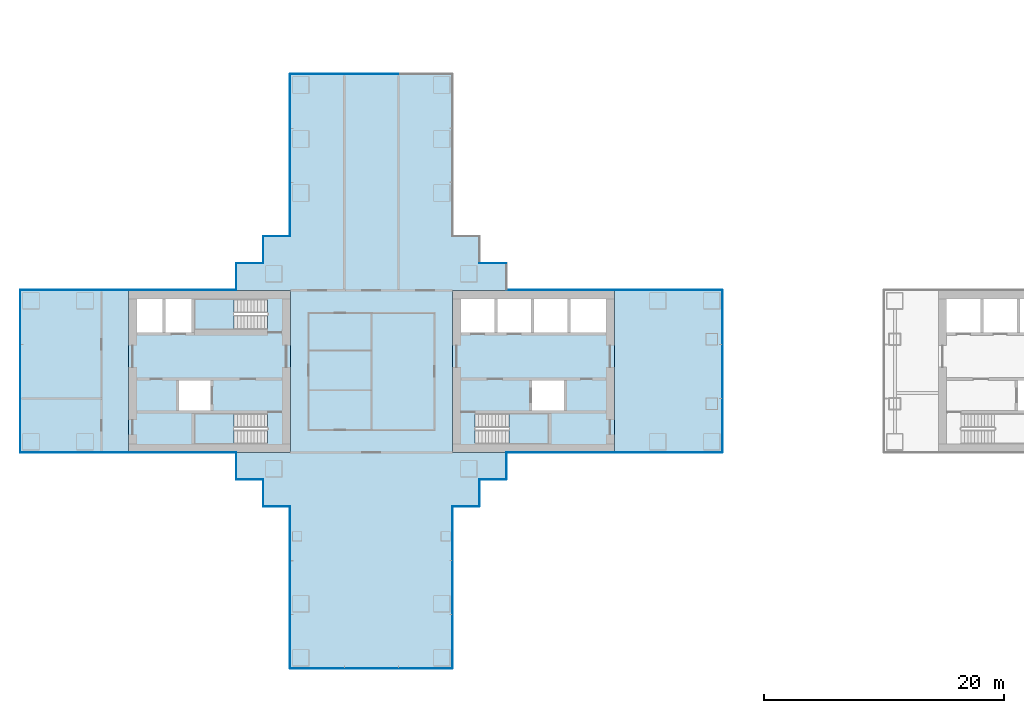
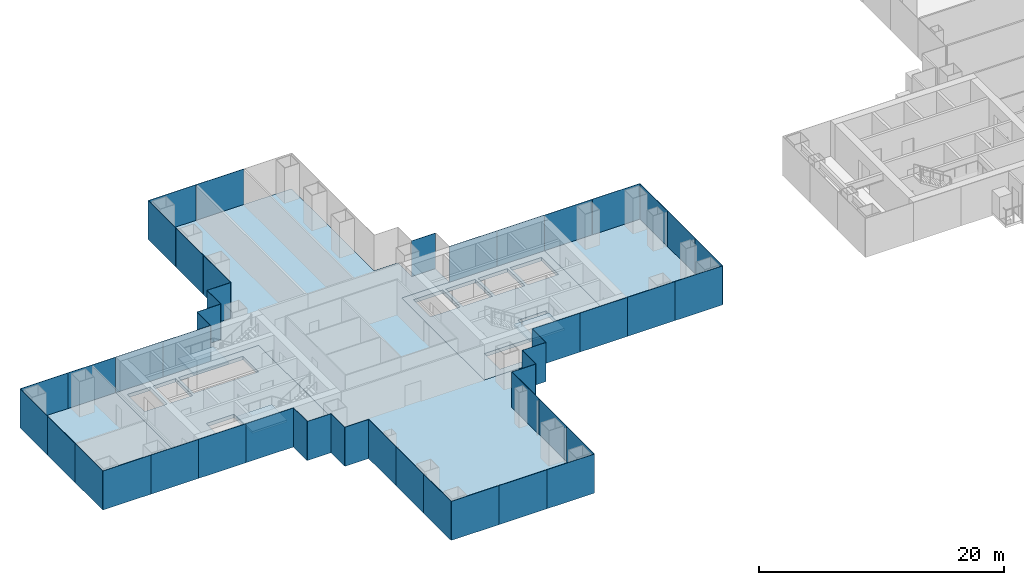
# One storey, part 10 of 21: 49 plates, 8 slabs, 22 elements without a shape of their own.
"""IFC4 building model written with IfcOpenShell, lengths in metres."""

from ifc_helpers import new_model, si_unit, direction, frame, origin, origin_2d, place, context, subcontext, project, spatial, polyline, rectangle, outline, extrude, material, layer, layer_set, type_object, element, aggregate, save


model = new_model("IFC4")

# Units and contexts
model_context = context("Model", 3, precision=1e-05, world=origin(), true_north=direction((0.0, 1.0)))
body_context = subcontext(model_context, "Body", "Model", "MODEL_VIEW")
ifc_project = project(units=[si_unit("LENGTHUNIT", "METRE"), si_unit("AREAUNIT", "SQUARE_METRE"), si_unit("VOLUMEUNIT", "CUBIC_METRE"), si_unit("PLANEANGLEUNIT", "RADIAN"), si_unit("MASSUNIT", "GRAM", prefix="KILO")], contexts=[model_context])

# Site, building, storey
site_placement = place(None, origin())
site = spatial("IfcSite", under=ifc_project, at=site_placement, CompositionType="ELEMENT")
building_placement = place(site_placement, origin())
building = spatial("IfcBuilding", under=site, at=building_placement, Name="Shamsa Quay Exchange Towers", CompositionType="ELEMENT")
storey_placement = place(building_placement, frame((0.0, 0.0, 53.699951171875)))
storey = spatial("IfcBuildingStorey", under=building, at=storey_placement, Name="L11", CompositionType="ELEMENT", Elevation=53.699951171875)

# Slabs
ifc_material_1 = material(Name="Concrete C50/60", Category="concrete")
ifc_layer_1 = layer(ifc_material_1, 0.35009765625)
ifc_layer_set_1 = layer_set([ifc_layer_1], Name="CORE FLOOR 350 C50/60")
slab_type_1 = type_object("IfcSlabType", Name="CORE FLOOR 350 C50/60", PredefinedType="FLOOR", material=ifc_layer_set_1)
slab_1_placement = place(storey_placement, frame((0.0, 0.0, -0.349853515625)))
element("IfcSlab", 1, at=slab_1_placement, inside=storey, type_object=slab_type_1, Name="Core floor T1A", PredefinedType="FLOOR", context=body_context, shape_type="SweptSolid", body=[
    extrude(outline(polyline([(-27.0, -6.75), (-13.5, -6.75), (-13.5, 6.75), (-27.0, 6.75), (-27.0, -6.75)]), holes=[polyline([(-25.099365234375, -6.050048828125), (-25.099365234375, -3.5), (-19.0, -3.5), (-19.0, -6.050048828125), (-25.099365234375, -6.050048828125)]), polyline([(-26.300048828125, 3.25), (-26.300048828125, 6.050048828125), (-23.5, 6.050048828125), (-23.5, 3.25), (-26.300048828125, 3.25)]), polyline([(-23.25, 3.25), (-23.25, 6.050048828125), (-20.449951171875, 6.050048828125), (-20.449951171875, 3.25), (-23.25, 3.25)]), polyline([(-20.199951171875, 3.25), (-20.199951171875, 6.050048828125), (-17.39990234375, 6.050048828125), (-17.39990234375, 3.25), (-20.199951171875, 3.25)]), polyline([(-17.14990234375, 3.25), (-17.14990234375, 6.050048828125), (-14.199951171875, 6.050048828125), (-14.199951171875, 3.25), (-17.14990234375, 3.25)]), polyline([(-20.35009765625, -3.25), (-20.35009765625, -0.75), (-17.699951171875, -0.75), (-17.699951171875, -3.25), (-20.35009765625, -3.25)])]), origin(), (0.0, 0.0, 1.0), 0.349853515625),
])
slab_2_placement = place(storey_placement, frame((0.0, 0.0, -0.349853515625)))
element("IfcSlab", 2, at=slab_2_placement, inside=storey, type_object=slab_type_1, Name="Core floor T1B", PredefinedType="FLOOR", context=body_context, shape_type="SweptSolid", body=[
    extrude(outline(polyline([(-40.5, -6.75), (-40.5, 6.75), (-54.0, 6.75), (-54.0, -6.75), (-40.5, -6.75)]), holes=[polyline([(-42.400634765625, -3.5), (-42.400634765625, -6.050048828125), (-48.5, -6.050048828125), (-48.5, -3.5), (-42.400634765625, -3.5)]), polyline([(-42.400634765625, 6.050048828125), (-42.400634765625, 3.5), (-48.5, 3.5), (-48.5, 6.050048828125), (-42.400634765625, 6.050048828125)]), polyline([(-48.75, 3.25), (-50.89990234375, 3.25), (-50.89990234375, 6.050048828125), (-48.75, 6.050048828125), (-48.75, 3.25)]), polyline([(-51.14990234375, 3.25), (-53.300048828125, 3.25), (-53.300048828125, 6.050048828125), (-51.14990234375, 6.050048828125), (-51.14990234375, 3.25)]), polyline([(-47.14990234375, -3.25), (-49.800048828125, -3.25), (-49.800048828125, -0.75), (-47.14990234375, -0.75), (-47.14990234375, -3.25)])]), origin(), (0.0, 0.0, 1.0), 0.349853515625),
])

# Stair, slab
ifc_material_2 = material(Name="Concrete C40/50", Category="concrete")
stair_type = type_object("IfcStairType", Name="EXIT STAIR 22 RISERS 177 MM", PredefinedType="HALF_TURN_STAIR", material=ifc_material_2)
stair_1_placement = place(storey_placement, origin())
stair_1 = element("IfcStair", 3, at=stair_1_placement, inside=storey, type_object=stair_type, Name="L11 Exit stair ST1", PredefinedType="HALF_TURN_STAIR")
ifc_layer_2 = layer(ifc_material_2, 0.199951171875)
ifc_layer_set_2 = layer_set([ifc_layer_2], Name="CORE STAIR LANDING")
slab_type_2 = type_object("IfcSlabType", Name="CORE STAIR LANDING", PredefinedType="LANDING", material=ifc_layer_set_2)
slab_3_placement = place(storey_placement, frame((0.0, 0.0, 1.75)))
slab_3 = element("IfcSlab", 4, at=slab_3_placement, type_object=slab_type_2, Name="ST1 landing 1", PredefinedType="LANDING", context=body_context, shape_type="SweptSolid", body=[
    extrude(outline(polyline([(-22.300048828125, -6.050048828125), (-19.0, -6.050048828125), (-19.0, -3.5), (-22.300048828125, -3.5), (-22.300048828125, -6.050048828125)])), origin(), (0.0, 0.0, 1.0), 0.199951171875),
])
aggregate(stair_1, [slab_3])

stair_2_placement = place(storey_placement, origin())
stair_2 = element("IfcStair", 5, at=stair_2_placement, inside=storey, type_object=stair_type, Name="L11 Exit stair ST2", PredefinedType="HALF_TURN_STAIR")
slab_4_placement = place(storey_placement, frame((0.0, 0.0, 1.75)))
slab_4 = element("IfcSlab", 6, at=slab_4_placement, type_object=slab_type_2, Name="ST2 landing 1", PredefinedType="LANDING", context=body_context, shape_type="SweptSolid", body=[
    extrude(outline(polyline([(-45.199951171875, -3.5), (-48.5, -3.5), (-48.5, -6.050048828125), (-45.199951171875, -6.050048828125), (-45.199951171875, -3.5)])), origin(), (0.0, 0.0, 1.0), 0.199951171875),
])
aggregate(stair_2, [slab_4])

stair_3_placement = place(storey_placement, origin())
stair_3 = element("IfcStair", 7, at=stair_3_placement, inside=storey, type_object=stair_type, Name="L11 Exit stair ST3", PredefinedType="HALF_TURN_STAIR")
slab_5_placement = place(storey_placement, frame((0.0, 0.0, 1.75)))
slab_5 = element("IfcSlab", 8, at=slab_5_placement, type_object=slab_type_2, Name="ST3 landing 1", PredefinedType="LANDING", context=body_context, shape_type="SweptSolid", body=[
    extrude(outline(polyline([(-45.199951171875, 6.050048828125), (-48.5, 6.050048828125), (-48.5, 3.5), (-45.199951171875, 3.5), (-45.199951171875, 6.050048828125)])), origin(), (0.0, 0.0, 1.0), 0.199951171875),
])
aggregate(stair_3, [slab_5])

# Curtain wall, plates
ifc_material_3 = material(Name="Aluminium EN AW-6063 T6, black anodised", Category="aluminium")
ifc_layer_3 = layer(ifc_material_3, 0.280029296875)
ifc_layer_set_3 = layer_set([ifc_layer_3], Name="CW-1 UNITISED VISION GLASS")
curtain_wall_type_1 = type_object("IfcCurtainWallType", Name="CW-1 UNITISED VISION GLASS", PredefinedType="NOTDEFINED", material=ifc_layer_set_3)
curtain_wall_1_placement = place(storey_placement, origin())
curtain_wall_1 = element("IfcCurtainWall", 9, at=curtain_wall_1_placement, inside=storey, type_object=curtain_wall_type_1, Name="CW1 T1-FLK-V-W L11", PredefinedType="NOTDEFINED")
ifc_material_4 = material(Name="Glass, laminated, dark tinted", Category="glass")
ifc_layer_4 = layer(ifc_material_4, 0.0400390625)
ifc_layer_set_4 = layer_set([ifc_layer_4], Name="CW-1 VISION GLASS 40")
plate_type_1 = type_object("IfcPlateType", Name="CW-1 VISION GLASS 40", PredefinedType="CURTAIN_PANEL", material=ifc_layer_set_4)
plate_1_placement = place(storey_placement, frame((-40.52001953125, -13.529052734375, -0.349853515625), z_axis=(0.0, 0.0, 1.0), x_axis=(0.0, -1.0, 0.0)))
plate_1 = element("IfcPlate", 10, at=plate_1_placement, type_object=plate_type_1, Name="CW1 glass panel", PredefinedType="CURTAIN_PANEL", context=body_context, shape_type="SweptSolid", body=[
    extrude(rectangle(XDim=4.482421875, YDim=0.0400390625, at=origin_2d()), origin(), (0.0, 0.0, 1.0), 3.89990234375),
])
plate_2_placement = place(storey_placement, frame((-40.52001953125, -18.01904296875, -0.349853515625), z_axis=(0.0, 0.0, 1.0), x_axis=(0.0, -1.0, 0.0)))
plate_2 = element("IfcPlate", 11, at=plate_2_placement, type_object=plate_type_1, Name="CW1 glass panel", PredefinedType="CURTAIN_PANEL", context=body_context, shape_type="SweptSolid", body=[
    extrude(rectangle(XDim=4.477294921875, YDim=0.0400390625, at=origin_2d()), origin(), (0.0, 0.0, 1.0), 3.89990234375),
])
plate_3_placement = place(storey_placement, frame((-40.52001953125, -22.5087890625, -0.349853515625), z_axis=(0.0, 0.0, 1.0), x_axis=(0.0, -1.0, 0.0)))
plate_3 = element("IfcPlate", 12, at=plate_3_placement, type_object=plate_type_1, Name="CW1 glass panel", PredefinedType="CURTAIN_PANEL", context=body_context, shape_type="SweptSolid", body=[
    extrude(rectangle(XDim=4.482421875, YDim=0.0400390625, at=origin_2d()), origin(), (0.0, 0.0, 1.0), 3.89990234375),
])
aggregate(curtain_wall_1, [plate_1, plate_2, plate_3])

curtain_wall_2_placement = place(storey_placement, origin())
curtain_wall_2 = element("IfcCurtainWall", 13, at=curtain_wall_2_placement, inside=storey, type_object=curtain_wall_type_1, Name="CW1 T1-END-V- L11", PredefinedType="NOTDEFINED")
plate_4_placement = place(storey_placement, frame((-38.25244140625, -24.77001953125, -0.349853515625)))
plate_4 = element("IfcPlate", 14, at=plate_4_placement, type_object=plate_type_1, Name="CW1 glass panel", PredefinedType="CURTAIN_PANEL", context=body_context, shape_type="SweptSolid", body=[
    extrude(rectangle(XDim=4.4951171875, YDim=0.0400390625, at=origin_2d()), origin(), (0.0, 0.0, 1.0), 3.89990234375),
])
plate_5_placement = place(storey_placement, frame((-33.75, -24.77001953125, -0.349853515625)))
plate_5 = element("IfcPlate", 15, at=plate_5_placement, type_object=plate_type_1, Name="CW1 glass panel", PredefinedType="CURTAIN_PANEL", context=body_context, shape_type="SweptSolid", body=[
    extrude(rectangle(XDim=4.489990234375, YDim=0.0400390625, at=origin_2d()), origin(), (0.0, 0.0, 1.0), 3.89990234375),
])
plate_6_placement = place(storey_placement, frame((-29.24755859375, -24.77001953125, -0.349853515625)))
plate_6 = element("IfcPlate", 16, at=plate_6_placement, type_object=plate_type_1, Name="CW1 glass panel", PredefinedType="CURTAIN_PANEL", context=body_context, shape_type="SweptSolid", body=[
    extrude(rectangle(XDim=4.4951171875, YDim=0.0400390625, at=origin_2d()), origin(), (0.0, 0.0, 1.0), 3.89990234375),
])
aggregate(curtain_wall_2, [plate_4, plate_5, plate_6])

curtain_wall_3_placement = place(storey_placement, origin())
curtain_wall_3 = element("IfcCurtainWall", 17, at=curtain_wall_3_placement, inside=storey, type_object=curtain_wall_type_1, Name="CW1 T1-FLK-V-E L11", PredefinedType="NOTDEFINED")
plate_7_placement = place(storey_placement, frame((-26.97998046875, -22.50244140625, -0.349853515625), z_axis=(0.0, 0.0, 1.0), x_axis=(0.0, 1.0, 0.0)))
plate_7 = element("IfcPlate", 18, at=plate_7_placement, type_object=plate_type_1, Name="CW1 glass panel", PredefinedType="CURTAIN_PANEL", context=body_context, shape_type="SweptSolid", body=[
    extrude(rectangle(XDim=4.4951171875, YDim=0.0400390625, at=origin_2d()), origin(), (0.0, 0.0, 1.0), 3.89990234375),
])
plate_8_placement = place(storey_placement, frame((-26.97998046875, -18.0, -0.349853515625), z_axis=(0.0, 0.0, 1.0), x_axis=(0.0, 1.0, 0.0)))
plate_8 = element("IfcPlate", 19, at=plate_8_placement, type_object=plate_type_1, Name="CW1 glass panel", PredefinedType="CURTAIN_PANEL", context=body_context, shape_type="SweptSolid", body=[
    extrude(rectangle(XDim=4.489990234375, YDim=0.0400390625, at=origin_2d()), origin(), (0.0, 0.0, 1.0), 3.89990234375),
])
plate_9_placement = place(storey_placement, frame((-26.97998046875, -13.49755859375, -0.349853515625), z_axis=(0.0, 0.0, 1.0), x_axis=(0.0, 1.0, 0.0)))
plate_9 = element("IfcPlate", 20, at=plate_9_placement, type_object=plate_type_1, Name="CW1 glass panel", PredefinedType="CURTAIN_PANEL", context=body_context, shape_type="SweptSolid", body=[
    extrude(rectangle(XDim=4.4951171875, YDim=0.0400390625, at=origin_2d()), origin(), (0.0, 0.0, 1.0), 3.89990234375),
])
aggregate(curtain_wall_3, [plate_7, plate_8, plate_9])

curtain_wall_4_placement = place(storey_placement, origin())
curtain_wall_4 = element("IfcCurtainWall", 21, at=curtain_wall_4_placement, inside=storey, type_object=curtain_wall_type_1, Name="CW1 T1-FLK-U+S L11", PredefinedType="NOTDEFINED")
plate_10_placement = place(storey_placement, frame((-11.25244140625, -6.77001953125, -0.349853515625)))
plate_10 = element("IfcPlate", 22, at=plate_10_placement, type_object=plate_type_1, Name="CW1 glass panel", PredefinedType="CURTAIN_PANEL", context=body_context, shape_type="SweptSolid", body=[
    extrude(rectangle(XDim=4.4951171875, YDim=0.0400390625, at=origin_2d()), origin(), (0.0, 0.0, 1.0), 3.89990234375),
])
plate_11_placement = place(storey_placement, frame((-6.74755859375, -6.77001953125, -0.349853515625)))
plate_11 = element("IfcPlate", 23, at=plate_11_placement, type_object=plate_type_1, Name="CW1 glass panel", PredefinedType="CURTAIN_PANEL", context=body_context, shape_type="SweptSolid", body=[
    extrude(rectangle(XDim=4.4951171875, YDim=0.0400390625, at=origin_2d()), origin(), (0.0, 0.0, 1.0), 3.89990234375),
])
aggregate(curtain_wall_4, [plate_10, plate_11])

curtain_wall_5_placement = place(storey_placement, origin())
curtain_wall_5 = element("IfcCurtainWall", 24, at=curtain_wall_5_placement, inside=storey, type_object=curtain_wall_type_1, Name="CW1 T1-END-U+ L11", PredefinedType="NOTDEFINED")
plate_12_placement = place(storey_placement, frame((-4.47998046875, -4.50244140625, -0.349853515625), z_axis=(0.0, 0.0, 1.0), x_axis=(0.0, 1.0, 0.0)))
plate_12 = element("IfcPlate", 25, at=plate_12_placement, type_object=plate_type_1, Name="CW1 glass panel", PredefinedType="CURTAIN_PANEL", context=body_context, shape_type="SweptSolid", body=[
    extrude(rectangle(XDim=4.4951171875, YDim=0.0400390625, at=origin_2d()), origin(), (0.0, 0.0, 1.0), 3.89990234375),
])
plate_13_placement = place(storey_placement, frame((-4.47998046875, 0.0, -0.349853515625), z_axis=(0.0, 0.0, 1.0), x_axis=(0.0, 1.0, 0.0)))
plate_13 = element("IfcPlate", 26, at=plate_13_placement, type_object=plate_type_1, Name="CW1 glass panel", PredefinedType="CURTAIN_PANEL", context=body_context, shape_type="SweptSolid", body=[
    extrude(rectangle(XDim=4.489990234375, YDim=0.0400390625, at=origin_2d()), origin(), (0.0, 0.0, 1.0), 3.89990234375),
])
plate_14_placement = place(storey_placement, frame((-4.47998046875, 4.50244140625, -0.349853515625), z_axis=(0.0, 0.0, 1.0), x_axis=(0.0, 1.0, 0.0)))
plate_14 = element("IfcPlate", 27, at=plate_14_placement, type_object=plate_type_1, Name="CW1 glass panel", PredefinedType="CURTAIN_PANEL", context=body_context, shape_type="SweptSolid", body=[
    extrude(rectangle(XDim=4.4951171875, YDim=0.0400390625, at=origin_2d()), origin(), (0.0, 0.0, 1.0), 3.89990234375),
])
aggregate(curtain_wall_5, [plate_12, plate_13, plate_14])

curtain_wall_6_placement = place(storey_placement, origin())
curtain_wall_6 = element("IfcCurtainWall", 28, at=curtain_wall_6_placement, inside=storey, type_object=curtain_wall_type_1, Name="CW1 T1-FLK-U+N L11", PredefinedType="NOTDEFINED")
plate_15_placement = place(storey_placement, frame((-6.74755859375, 6.77001953125, -0.349853515625), z_axis=(0.0, 0.0, 1.0), x_axis=(-1.0, 0.0, 0.0)))
plate_15 = element("IfcPlate", 29, at=plate_15_placement, type_object=plate_type_1, Name="CW1 glass panel", PredefinedType="CURTAIN_PANEL", context=body_context, shape_type="SweptSolid", body=[
    extrude(rectangle(XDim=4.4951171875, YDim=0.0400390625, at=origin_2d()), origin(), (0.0, 0.0, 1.0), 3.89990234375),
])
plate_16_placement = place(storey_placement, frame((-11.25244140625, 6.77001953125, -0.349853515625), z_axis=(0.0, 0.0, 1.0), x_axis=(-1.0, 0.0, 0.0)))
plate_16 = element("IfcPlate", 30, at=plate_16_placement, type_object=plate_type_1, Name="CW1 glass panel", PredefinedType="CURTAIN_PANEL", context=body_context, shape_type="SweptSolid", body=[
    extrude(rectangle(XDim=4.4951171875, YDim=0.0400390625, at=origin_2d()), origin(), (0.0, 0.0, 1.0), 3.89990234375),
])
aggregate(curtain_wall_6, [plate_15, plate_16])

curtain_wall_7_placement = place(storey_placement, origin())
curtain_wall_7 = element("IfcCurtainWall", 31, at=curtain_wall_7_placement, inside=storey, type_object=curtain_wall_type_1, Name="CW1 T1-END-V+ L11", PredefinedType="NOTDEFINED")
plate_17_placement = place(storey_placement, frame((-33.75, 24.77001953125, -0.349853515625), z_axis=(0.0, 0.0, 1.0), x_axis=(-1.0, 0.0, 0.0)))
plate_17 = element("IfcPlate", 32, at=plate_17_placement, type_object=plate_type_1, Name="CW1 glass panel", PredefinedType="CURTAIN_PANEL", context=body_context, shape_type="SweptSolid", body=[
    extrude(rectangle(XDim=4.489990234375, YDim=0.0400390625, at=origin_2d()), origin(), (0.0, 0.0, 1.0), 3.89990234375),
])
plate_18_placement = place(storey_placement, frame((-38.25244140625, 24.77001953125, -0.349853515625), z_axis=(0.0, 0.0, 1.0), x_axis=(-1.0, 0.0, 0.0)))
plate_18 = element("IfcPlate", 33, at=plate_18_placement, type_object=plate_type_1, Name="CW1 glass panel", PredefinedType="CURTAIN_PANEL", context=body_context, shape_type="SweptSolid", body=[
    extrude(rectangle(XDim=4.4951171875, YDim=0.0400390625, at=origin_2d()), origin(), (0.0, 0.0, 1.0), 3.89990234375),
])
aggregate(curtain_wall_7, [plate_17, plate_18])

curtain_wall_8_placement = place(storey_placement, origin())
curtain_wall_8 = element("IfcCurtainWall", 34, at=curtain_wall_8_placement, inside=storey, type_object=curtain_wall_type_1, Name="CW1 T1-FLK-V+W L11", PredefinedType="NOTDEFINED")
plate_19_placement = place(storey_placement, frame((-40.52001953125, 22.50244140625, -0.349853515625), z_axis=(0.0, 0.0, 1.0), x_axis=(0.0, -1.0, 0.0)))
plate_19 = element("IfcPlate", 35, at=plate_19_placement, type_object=plate_type_1, Name="CW1 glass panel", PredefinedType="CURTAIN_PANEL", context=body_context, shape_type="SweptSolid", body=[
    extrude(rectangle(XDim=4.4951171875, YDim=0.0400390625, at=origin_2d()), origin(), (0.0, 0.0, 1.0), 3.89990234375),
])
plate_20_placement = place(storey_placement, frame((-40.52001953125, 18.0, -0.349853515625), z_axis=(0.0, 0.0, 1.0), x_axis=(0.0, -1.0, 0.0)))
plate_20 = element("IfcPlate", 36, at=plate_20_placement, type_object=plate_type_1, Name="CW1 glass panel", PredefinedType="CURTAIN_PANEL", context=body_context, shape_type="SweptSolid", body=[
    extrude(rectangle(XDim=4.489990234375, YDim=0.0400390625, at=origin_2d()), origin(), (0.0, 0.0, 1.0), 3.89990234375),
])
plate_21_placement = place(storey_placement, frame((-40.52001953125, 13.49755859375, -0.349853515625), z_axis=(0.0, 0.0, 1.0), x_axis=(0.0, -1.0, 0.0)))
plate_21 = element("IfcPlate", 37, at=plate_21_placement, type_object=plate_type_1, Name="CW1 glass panel", PredefinedType="CURTAIN_PANEL", context=body_context, shape_type="SweptSolid", body=[
    extrude(rectangle(XDim=4.4951171875, YDim=0.0400390625, at=origin_2d()), origin(), (0.0, 0.0, 1.0), 3.89990234375),
])
aggregate(curtain_wall_8, [plate_19, plate_20, plate_21])

curtain_wall_9_placement = place(storey_placement, origin())
curtain_wall_9 = element("IfcCurtainWall", 38, at=curtain_wall_9_placement, inside=storey, type_object=curtain_wall_type_1, Name="CW1 T1-FLK-U-N L11", PredefinedType="NOTDEFINED")
plate_22_placement = place(storey_placement, frame((-56.24755859375, 6.77001953125, -0.349853515625), z_axis=(0.0, 0.0, 1.0), x_axis=(-1.0, 0.0, 0.0)))
plate_22 = element("IfcPlate", 39, at=plate_22_placement, type_object=plate_type_1, Name="CW1 glass panel", PredefinedType="CURTAIN_PANEL", context=body_context, shape_type="SweptSolid", body=[
    extrude(rectangle(XDim=4.4951171875, YDim=0.0400390625, at=origin_2d()), origin(), (0.0, 0.0, 1.0), 3.89990234375),
])
plate_23_placement = place(storey_placement, frame((-60.75244140625, 6.77001953125, -0.349853515625), z_axis=(0.0, 0.0, 1.0), x_axis=(-1.0, 0.0, 0.0)))
plate_23 = element("IfcPlate", 40, at=plate_23_placement, type_object=plate_type_1, Name="CW1 glass panel", PredefinedType="CURTAIN_PANEL", context=body_context, shape_type="SweptSolid", body=[
    extrude(rectangle(XDim=4.4951171875, YDim=0.0400390625, at=origin_2d()), origin(), (0.0, 0.0, 1.0), 3.89990234375),
])
aggregate(curtain_wall_9, [plate_22, plate_23])

curtain_wall_10_placement = place(storey_placement, origin())
curtain_wall_10 = element("IfcCurtainWall", 41, at=curtain_wall_10_placement, inside=storey, type_object=curtain_wall_type_1, Name="CW1 T1-END-U- L11", PredefinedType="NOTDEFINED")
plate_24_placement = place(storey_placement, frame((-63.02001953125, 4.50244140625, -0.349853515625), z_axis=(0.0, 0.0, 1.0), x_axis=(0.0, -1.0, 0.0)))
plate_24 = element("IfcPlate", 42, at=plate_24_placement, type_object=plate_type_1, Name="CW1 glass panel", PredefinedType="CURTAIN_PANEL", context=body_context, shape_type="SweptSolid", body=[
    extrude(rectangle(XDim=4.4951171875, YDim=0.0400390625, at=origin_2d()), origin(), (0.0, 0.0, 1.0), 3.89990234375),
])
plate_25_placement = place(storey_placement, frame((-63.02001953125, 0.0, -0.349853515625), z_axis=(0.0, 0.0, 1.0), x_axis=(0.0, -1.0, 0.0)))
plate_25 = element("IfcPlate", 43, at=plate_25_placement, type_object=plate_type_1, Name="CW1 glass panel", PredefinedType="CURTAIN_PANEL", context=body_context, shape_type="SweptSolid", body=[
    extrude(rectangle(XDim=4.489990234375, YDim=0.0400390625, at=origin_2d()), origin(), (0.0, 0.0, 1.0), 3.89990234375),
])
plate_26_placement = place(storey_placement, frame((-63.02001953125, -4.50244140625, -0.349853515625), z_axis=(0.0, 0.0, 1.0), x_axis=(0.0, -1.0, 0.0)))
plate_26 = element("IfcPlate", 44, at=plate_26_placement, type_object=plate_type_1, Name="CW1 glass panel", PredefinedType="CURTAIN_PANEL", context=body_context, shape_type="SweptSolid", body=[
    extrude(rectangle(XDim=4.4951171875, YDim=0.0400390625, at=origin_2d()), origin(), (0.0, 0.0, 1.0), 3.89990234375),
])
aggregate(curtain_wall_10, [plate_24, plate_25, plate_26])

curtain_wall_11_placement = place(storey_placement, origin())
curtain_wall_11 = element("IfcCurtainWall", 45, at=curtain_wall_11_placement, inside=storey, type_object=curtain_wall_type_1, Name="CW1 T1-FLK-U-S L11", PredefinedType="NOTDEFINED")
plate_27_placement = place(storey_placement, frame((-60.75244140625, -6.77001953125, -0.349853515625)))
plate_27 = element("IfcPlate", 46, at=plate_27_placement, type_object=plate_type_1, Name="CW1 glass panel", PredefinedType="CURTAIN_PANEL", context=body_context, shape_type="SweptSolid", body=[
    extrude(rectangle(XDim=4.4951171875, YDim=0.0400390625, at=origin_2d()), origin(), (0.0, 0.0, 1.0), 3.89990234375),
])
plate_28_placement = place(storey_placement, frame((-56.24755859375, -6.77001953125, -0.349853515625)))
plate_28 = element("IfcPlate", 47, at=plate_28_placement, type_object=plate_type_1, Name="CW1 glass panel", PredefinedType="CURTAIN_PANEL", context=body_context, shape_type="SweptSolid", body=[
    extrude(rectangle(XDim=4.4951171875, YDim=0.0400390625, at=origin_2d()), origin(), (0.0, 0.0, 1.0), 3.89990234375),
])
aggregate(curtain_wall_11, [plate_27, plate_28])

ifc_layer_5 = layer(ifc_material_3, 0.303955078125)
ifc_layer_set_5 = layer_set([ifc_layer_5], Name="CW-2 UNITISED OPAQUE SPANDREL GLASS")
curtain_wall_type_2 = type_object("IfcCurtainWallType", Name="CW-2 UNITISED OPAQUE SPANDREL GLASS", PredefinedType="NOTDEFINED", material=ifc_layer_set_5)
curtain_wall_12_placement = place(storey_placement, origin())
curtain_wall_12 = element("IfcCurtainWall", 48, at=curtain_wall_12_placement, inside=storey, type_object=curtain_wall_type_2, Name="CW2 T1-FLK-U+S L11", PredefinedType="NOTDEFINED")
ifc_material_5 = material(Name="Glass, laminated, black enamelled opaque", Category="glass")
ifc_layer_6 = layer(ifc_material_5, 0.0439453125)
ifc_layer_set_6 = layer_set([ifc_layer_6], Name="CW-2 SPANDREL GLASS 44")
plate_type_2 = type_object("IfcPlateType", Name="CW-2 SPANDREL GLASS 44", PredefinedType="CURTAIN_PANEL", material=ifc_layer_set_6)
plate_29_placement = place(storey_placement, frame((-20.22412109375, -6.77197265625, -0.349853515625)))
plate_29 = element("IfcPlate", 49, at=plate_29_placement, type_object=plate_type_2, Name="CW2 glass panel", PredefinedType="CURTAIN_PANEL", context=body_context, shape_type="SweptSolid", body=[
    extrude(rectangle(XDim=4.47607421875, YDim=0.0439453125, at=origin_2d()), origin(), (0.0, 0.0, 1.0), 3.89990234375),
])
plate_30_placement = place(storey_placement, frame((-15.738037109375, -6.77197265625, -0.349853515625)))
plate_30 = element("IfcPlate", 50, at=plate_30_placement, type_object=plate_type_2, Name="CW2 glass panel", PredefinedType="CURTAIN_PANEL", context=body_context, shape_type="SweptSolid", body=[
    extrude(rectangle(XDim=4.47607421875, YDim=0.0439453125, at=origin_2d()), origin(), (0.0, 0.0, 1.0), 3.89990234375),
])
aggregate(curtain_wall_12, [plate_29, plate_30])

curtain_wall_13_placement = place(storey_placement, origin())
curtain_wall_13 = element("IfcCurtainWall", 51, at=curtain_wall_13_placement, inside=storey, type_object=curtain_wall_type_2, Name="CW2 T1-FLK-U+N L11", PredefinedType="NOTDEFINED")
plate_31_placement = place(storey_placement, frame((-15.74755859375, 6.77197265625, -0.349853515625), z_axis=(0.0, 0.0, 1.0), x_axis=(-1.0, 0.0, 0.0)))
plate_31 = element("IfcPlate", 52, at=plate_31_placement, type_object=plate_type_2, Name="CW2 glass panel", PredefinedType="CURTAIN_PANEL", context=body_context, shape_type="SweptSolid", body=[
    extrude(rectangle(XDim=4.4951171875, YDim=0.0439453125, at=origin_2d()), origin(), (0.0, 0.0, 1.0), 3.89990234375),
])
plate_32_placement = place(storey_placement, frame((-20.25244140625, 6.77197265625, -0.349853515625), z_axis=(0.0, 0.0, 1.0), x_axis=(-1.0, 0.0, 0.0)))
plate_32 = element("IfcPlate", 53, at=plate_32_placement, type_object=plate_type_2, Name="CW2 glass panel", PredefinedType="CURTAIN_PANEL", context=body_context, shape_type="SweptSolid", body=[
    extrude(rectangle(XDim=4.4951171875, YDim=0.0439453125, at=origin_2d()), origin(), (0.0, 0.0, 1.0), 3.89990234375),
])
aggregate(curtain_wall_13, [plate_31, plate_32])

curtain_wall_14_placement = place(storey_placement, origin())
curtain_wall_14 = element("IfcCurtainWall", 54, at=curtain_wall_14_placement, inside=storey, type_object=curtain_wall_type_2, Name="CW2 T1-FLK-U-N L11", PredefinedType="NOTDEFINED")
plate_33_placement = place(storey_placement, frame((-47.27587890625, 6.77197265625, -0.349853515625), z_axis=(0.0, 0.0, 1.0), x_axis=(-1.0, 0.0, 0.0)))
plate_33 = element("IfcPlate", 55, at=plate_33_placement, type_object=plate_type_2, Name="CW2 glass panel", PredefinedType="CURTAIN_PANEL", context=body_context, shape_type="SweptSolid", body=[
    extrude(rectangle(XDim=4.47607421875, YDim=0.0439453125, at=origin_2d()), origin(), (0.0, 0.0, 1.0), 3.89990234375),
])
plate_34_placement = place(storey_placement, frame((-51.761962890625, 6.77197265625, -0.349853515625), z_axis=(0.0, 0.0, 1.0), x_axis=(-1.0, 0.0, 0.0)))
plate_34 = element("IfcPlate", 56, at=plate_34_placement, type_object=plate_type_2, Name="CW2 glass panel", PredefinedType="CURTAIN_PANEL", context=body_context, shape_type="SweptSolid", body=[
    extrude(rectangle(XDim=4.47607421875, YDim=0.0439453125, at=origin_2d()), origin(), (0.0, 0.0, 1.0), 3.89990234375),
])
aggregate(curtain_wall_14, [plate_33, plate_34])

curtain_wall_15_placement = place(storey_placement, origin())
curtain_wall_15 = element("IfcCurtainWall", 57, at=curtain_wall_15_placement, inside=storey, type_object=curtain_wall_type_2, Name="CW2 T1-FLK-U-S L11", PredefinedType="NOTDEFINED")
plate_35_placement = place(storey_placement, frame((-51.75244140625, -6.77197265625, -0.349853515625)))
plate_35 = element("IfcPlate", 58, at=plate_35_placement, type_object=plate_type_2, Name="CW2 glass panel", PredefinedType="CURTAIN_PANEL", context=body_context, shape_type="SweptSolid", body=[
    extrude(rectangle(XDim=4.4951171875, YDim=0.0439453125, at=origin_2d()), origin(), (0.0, 0.0, 1.0), 3.89990234375),
])
plate_36_placement = place(storey_placement, frame((-47.24755859375, -6.77197265625, -0.349853515625)))
plate_36 = element("IfcPlate", 59, at=plate_36_placement, type_object=plate_type_2, Name="CW2 glass panel", PredefinedType="CURTAIN_PANEL", context=body_context, shape_type="SweptSolid", body=[
    extrude(rectangle(XDim=4.4951171875, YDim=0.0439453125, at=origin_2d()), origin(), (0.0, 0.0, 1.0), 3.89990234375),
])
aggregate(curtain_wall_15, [plate_35, plate_36])

ifc_layer_7 = layer(ifc_material_3, 0.256103515625)
ifc_layer_set_7 = layer_set([ifc_layer_7], Name="CW-4 POCKET SERRATED GLAZING")
curtain_wall_type_3 = type_object("IfcCurtainWallType", Name="CW-4 POCKET SERRATED GLAZING", PredefinedType="NOTDEFINED", material=ifc_layer_set_7)
curtain_wall_16_placement = place(storey_placement, origin())
curtain_wall_16 = element("IfcCurtainWall", 60, at=curtain_wall_16_placement, inside=storey, type_object=curtain_wall_type_3, Name="CW4 PKWS L11", PredefinedType="NOTDEFINED")
ifc_layer_8 = layer(ifc_material_4, 0.035888671875)
ifc_layer_set_8 = layer_set([ifc_layer_8], Name="CW-4 POCKET GLASS 36")
plate_type_3 = type_object("IfcPlateType", Name="CW-4 POCKET GLASS 36", PredefinedType="CURTAIN_PANEL", material=ifc_layer_set_8)
plate_37_placement = place(storey_placement, frame((-42.76806640625, -10.14404296875, -0.349853515625), z_axis=(0.0, 0.0, 1.0), x_axis=(0.0, -1.0, 0.0)))
plate_37 = element("IfcPlate", 61, at=plate_37_placement, type_object=plate_type_3, Name="CW4 glass panel", PredefinedType="CURTAIN_PANEL", context=body_context, shape_type="SweptSolid", body=[
    extrude(rectangle(XDim=2.2119140625, YDim=0.035888671875, at=origin_2d()), origin(), (0.0, 0.0, 1.0), 3.89990234375),
])
plate_38_placement = place(storey_placement, frame((-41.625, -11.26806640625, -0.349853515625)))
plate_38 = element("IfcPlate", 62, at=plate_38_placement, type_object=plate_type_3, Name="CW4 glass panel", PredefinedType="CURTAIN_PANEL", context=body_context, shape_type="SweptSolid", body=[
    extrude(rectangle(XDim=2.25, YDim=0.035888671875, at=origin_2d()), origin(), (0.0, 0.0, 1.0), 3.89990234375),
])
plate_39_placement = place(storey_placement, frame((-45.01806640625, -7.89794921875, -0.349853515625), z_axis=(0.0, 0.0, 1.0), x_axis=(0.0, -1.0, 0.0)))
plate_39 = element("IfcPlate", 63, at=plate_39_placement, type_object=plate_type_3, Name="CW4 glass panel", PredefinedType="CURTAIN_PANEL", context=body_context, shape_type="SweptSolid", body=[
    extrude(rectangle(XDim=2.2041015625, YDim=0.035888671875, at=origin_2d()), origin(), (0.0, 0.0, 1.0), 3.89990234375),
])
plate_40_placement = place(storey_placement, frame((-43.875, -9.01806640625, -0.349853515625)))
plate_40 = element("IfcPlate", 64, at=plate_40_placement, type_object=plate_type_3, Name="CW4 glass panel", PredefinedType="CURTAIN_PANEL", context=body_context, shape_type="SweptSolid", body=[
    extrude(rectangle(XDim=2.25, YDim=0.035888671875, at=origin_2d()), origin(), (0.0, 0.0, 1.0), 3.89990234375),
])
aggregate(curtain_wall_16, [plate_37, plate_38, plate_39, plate_40])

curtain_wall_17_placement = place(storey_placement, origin())
curtain_wall_17 = element("IfcCurtainWall", 65, at=curtain_wall_17_placement, inside=storey, type_object=curtain_wall_type_3, Name="CW4 PKES L11", PredefinedType="NOTDEFINED")
plate_41_placement = place(storey_placement, frame((-25.85400390625, -11.26806640625, -0.349853515625)))
plate_41 = element("IfcPlate", 66, at=plate_41_placement, type_object=plate_type_3, Name="CW4 glass panel", PredefinedType="CURTAIN_PANEL", context=body_context, shape_type="SweptSolid", body=[
    extrude(rectangle(XDim=2.2080078125, YDim=0.035888671875, at=origin_2d()), origin(), (0.0, 0.0, 1.0), 3.89990234375),
])
plate_42_placement = place(storey_placement, frame((-24.73193359375, -10.125, -0.349853515625), z_axis=(0.0, 0.0, 1.0), x_axis=(0.0, 1.0, 0.0)))
plate_42 = element("IfcPlate", 67, at=plate_42_placement, type_object=plate_type_3, Name="CW4 glass panel", PredefinedType="CURTAIN_PANEL", context=body_context, shape_type="SweptSolid", body=[
    extrude(rectangle(XDim=2.25, YDim=0.035888671875, at=origin_2d()), origin(), (0.0, 0.0, 1.0), 3.89990234375),
])
plate_43_placement = place(storey_placement, frame((-23.60595703125, -9.01806640625, -0.349853515625)))
plate_43 = element("IfcPlate", 68, at=plate_43_placement, type_object=plate_type_3, Name="CW4 glass panel", PredefinedType="CURTAIN_PANEL", context=body_context, shape_type="SweptSolid", body=[
    extrude(rectangle(XDim=2.2119140625, YDim=0.035888671875, at=origin_2d()), origin(), (0.0, 0.0, 1.0), 3.89990234375),
])
plate_44_placement = place(storey_placement, frame((-22.48193359375, -7.875, -0.349853515625), z_axis=(0.0, 0.0, 1.0), x_axis=(0.0, 1.0, 0.0)))
plate_44 = element("IfcPlate", 69, at=plate_44_placement, type_object=plate_type_3, Name="CW4 glass panel", PredefinedType="CURTAIN_PANEL", context=body_context, shape_type="SweptSolid", body=[
    extrude(rectangle(XDim=2.25, YDim=0.035888671875, at=origin_2d()), origin(), (0.0, 0.0, 1.0), 3.89990234375),
])
aggregate(curtain_wall_17, [plate_41, plate_42, plate_43, plate_44])

# Curtain wall, plate
curtain_wall_18_placement = place(storey_placement, origin())
curtain_wall_18 = element("IfcCurtainWall", 70, at=curtain_wall_18_placement, inside=storey, type_object=curtain_wall_type_3, Name="CW4 PKEN L11", PredefinedType="NOTDEFINED")
plate_45_placement = place(storey_placement, frame((-23.625, 9.01806640625, -0.349853515625), z_axis=(0.0, 0.0, 1.0), x_axis=(-1.0, 0.0, 0.0)))
plate_45 = element("IfcPlate", 71, at=plate_45_placement, type_object=plate_type_3, Name="CW4 glass panel", PredefinedType="CURTAIN_PANEL", context=body_context, shape_type="SweptSolid", body=[
    extrude(rectangle(XDim=2.25, YDim=0.035888671875, at=origin_2d()), origin(), (0.0, 0.0, 1.0), 3.89990234375),
])
aggregate(curtain_wall_18, [plate_45])

# Curtain wall, plates
curtain_wall_19_placement = place(storey_placement, origin())
curtain_wall_19 = element("IfcCurtainWall", 72, at=curtain_wall_19_placement, inside=storey, type_object=curtain_wall_type_3, Name="CW4 PKWN L11", PredefinedType="NOTDEFINED")
plate_46_placement = place(storey_placement, frame((-41.64599609375, 11.26806640625, -0.349853515625), z_axis=(0.0, 0.0, 1.0), x_axis=(-1.0, 0.0, 0.0)))
plate_46 = element("IfcPlate", 73, at=plate_46_placement, type_object=plate_type_3, Name="CW4 glass panel", PredefinedType="CURTAIN_PANEL", context=body_context, shape_type="SweptSolid", body=[
    extrude(rectangle(XDim=2.2080078125, YDim=0.035888671875, at=origin_2d()), origin(), (0.0, 0.0, 1.0), 3.89990234375),
])
plate_47_placement = place(storey_placement, frame((-42.76806640625, 10.125, -0.349853515625), z_axis=(0.0, 0.0, 1.0), x_axis=(0.0, -1.0, 0.0)))
plate_47 = element("IfcPlate", 74, at=plate_47_placement, type_object=plate_type_3, Name="CW4 glass panel", PredefinedType="CURTAIN_PANEL", context=body_context, shape_type="SweptSolid", body=[
    extrude(rectangle(XDim=2.25, YDim=0.035888671875, at=origin_2d()), origin(), (0.0, 0.0, 1.0), 3.89990234375),
])
plate_48_placement = place(storey_placement, frame((-43.89404296875, 9.01806640625, -0.349853515625), z_axis=(0.0, 0.0, 1.0), x_axis=(-1.0, 0.0, 0.0)))
plate_48 = element("IfcPlate", 75, at=plate_48_placement, type_object=plate_type_3, Name="CW4 glass panel", PredefinedType="CURTAIN_PANEL", context=body_context, shape_type="SweptSolid", body=[
    extrude(rectangle(XDim=2.2119140625, YDim=0.035888671875, at=origin_2d()), origin(), (0.0, 0.0, 1.0), 3.89990234375),
])
plate_49_placement = place(storey_placement, frame((-45.01806640625, 7.875, -0.349853515625), z_axis=(0.0, 0.0, 1.0), x_axis=(0.0, -1.0, 0.0)))
plate_49 = element("IfcPlate", 76, at=plate_49_placement, type_object=plate_type_3, Name="CW4 glass panel", PredefinedType="CURTAIN_PANEL", context=body_context, shape_type="SweptSolid", body=[
    extrude(rectangle(XDim=2.25, YDim=0.035888671875, at=origin_2d()), origin(), (0.0, 0.0, 1.0), 3.89990234375),
])
aggregate(curtain_wall_19, [plate_46, plate_47, plate_48, plate_49])

# Slabs
ifc_layer_9 = layer(ifc_material_2, 0.35009765625)
ifc_layer_set_9 = layer_set([ifc_layer_9], Name="Flat slab 350")
slab_type_3 = type_object("IfcSlabType", Name="Flat slab 350", PredefinedType="FLOOR", material=ifc_layer_set_9)
slab_6_placement = place(storey_placement, frame((0.0, 0.0, -0.349853515625)))
element("IfcSlab", 77, at=slab_6_placement, inside=storey, type_object=slab_type_3, Name="Flat slab T1 L11 1", PredefinedType="FLOOR", context=body_context, shape_type="SweptSolid", body=[
    extrude(outline(polyline([(-63.0, -6.75), (-54.0, -6.75), (-54.0, 6.75), (-63.0, 6.75), (-63.0, -6.75)])), origin(), (0.0, 0.0, 1.0), 0.349853515625),
])
slab_7_placement = place(storey_placement, frame((0.0, 0.0, -0.349853515625)))
element("IfcSlab", 78, at=slab_7_placement, inside=storey, type_object=slab_type_3, Name="Flat slab T1 L11 2", PredefinedType="FLOOR", context=body_context, shape_type="SweptSolid", body=[
    extrude(outline(polyline([(-22.5, -9.0), (-22.5, -6.75), (-27.0, -6.75), (-27.0, 6.75), (-22.5, 6.75), (-22.5, 9.0), (-24.75, 9.0), (-24.75, 11.25), (-27.0, 11.25), (-27.0, 24.75), (-40.5, 24.75), (-40.5, 11.25), (-42.75, 11.25), (-42.75, 9.0), (-45.0, 9.0), (-45.0, 6.75), (-40.5, 6.75), (-40.5, -6.75), (-45.0, -6.75), (-45.0, -9.0), (-42.75, -9.0), (-42.75, -11.25), (-40.5, -11.25), (-40.5, -24.75), (-27.0, -24.75), (-27.0, -11.25), (-24.75, -11.25), (-24.75, -9.0), (-22.5, -9.0)])), origin(), (0.0, 0.0, 1.0), 0.349853515625),
])
slab_8_placement = place(storey_placement, frame((0.0, 0.0, -0.349853515625)))
element("IfcSlab", 79, at=slab_8_placement, inside=storey, type_object=slab_type_3, Name="Flat slab T1 L11 3", PredefinedType="FLOOR", context=body_context, shape_type="SweptSolid", body=[
    extrude(outline(polyline([(-4.5, 6.75), (-13.5, 6.75), (-13.5, -6.75), (-4.5, -6.75), (-4.5, 6.75)])), origin(), (0.0, 0.0, 1.0), 0.349853515625),
])

save(model, "model.ifc")
